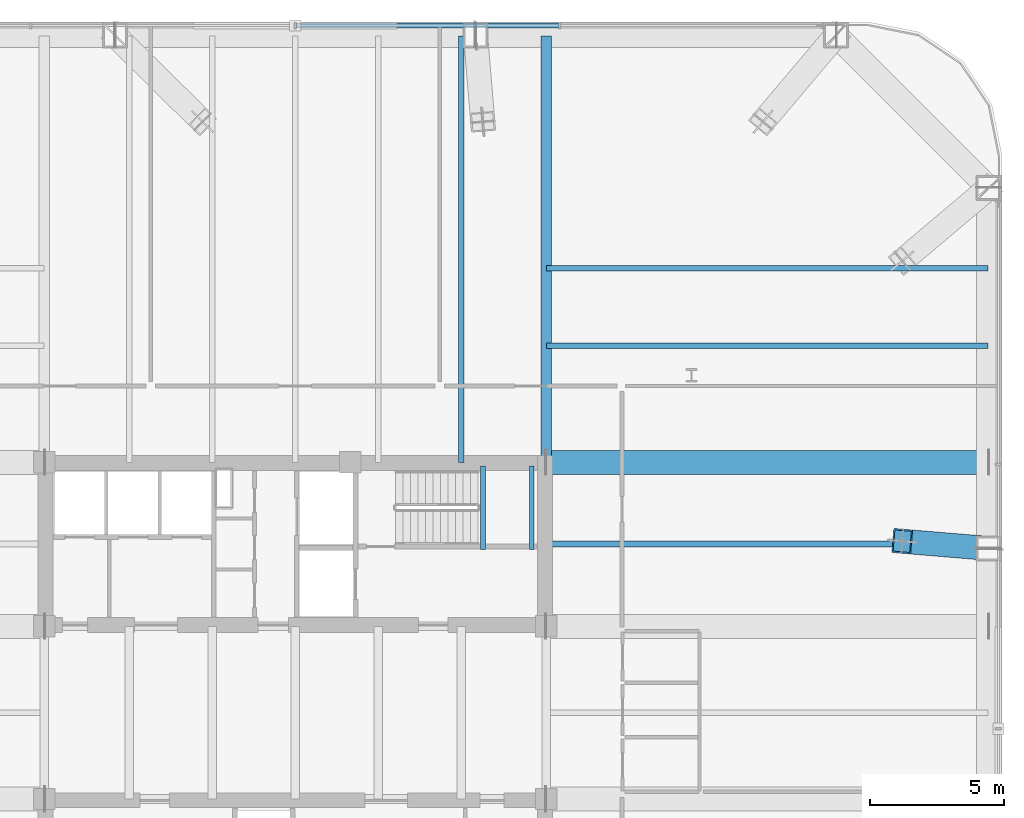
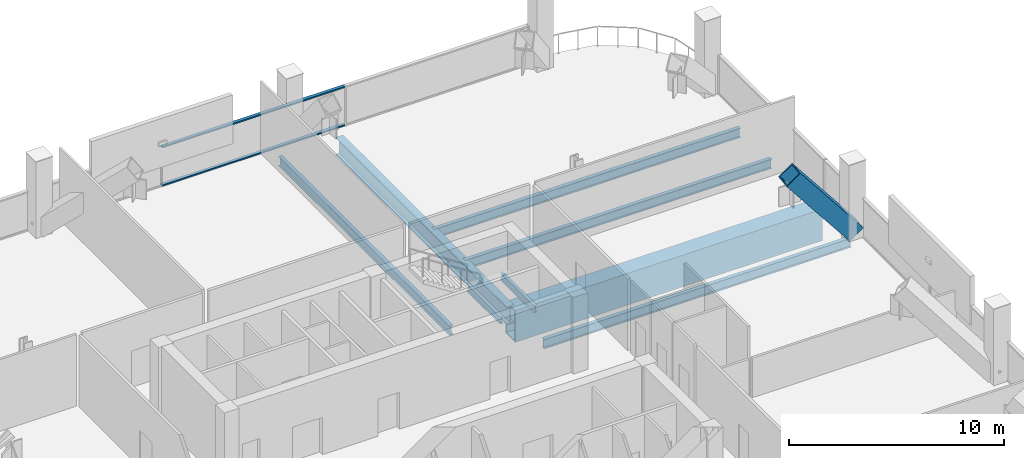
# One storey, part 22 of 38: 8 beams, 3 members, 1 element without a shape of its own.
"""IFC4 building model written with IfcOpenShell, lengths in metres."""

from ifc_helpers import new_model, si_unit, direction, frame, origin, origin_2d, place, context, subcontext, project, spatial, hollow_rectangle, i_section, extrude, material, layer, layer_set, material_profile, profile_set, type_object, element, aggregate, save


model = new_model("IFC4")

# Units and contexts
model_context = context("Model", 3, precision=1e-05, world=origin(), true_north=direction((0.0, 1.0)))
body_context = subcontext(model_context, "Body", "Model", "MODEL_VIEW")
ifc_project = project(units=[si_unit("LENGTHUNIT", "METRE"), si_unit("AREAUNIT", "SQUARE_METRE"), si_unit("VOLUMEUNIT", "CUBIC_METRE"), si_unit("PLANEANGLEUNIT", "RADIAN"), si_unit("MASSUNIT", "GRAM", prefix="KILO")], contexts=[model_context])

# Site, building, storey
site_placement = place(None, origin())
site = spatial("IfcSite", under=ifc_project, at=site_placement, CompositionType="ELEMENT")
building_placement = place(site_placement, origin())
building = spatial("IfcBuilding", under=site, at=building_placement, Name="Qhalaya Broadcast Tower", CompositionType="ELEMENT")
storey_placement = place(building_placement, frame((0.0, 0.0, 53.550048828125)))
storey = spatial("IfcBuildingStorey", under=building, at=storey_placement, Name="L15", CompositionType="ELEMENT", Elevation=53.550048828125)

# Beams
ifc_material_1 = material(Name="Structural Steel ASTM A572 Grade 50", Category="steel")
ifc_material_profile_1 = material_profile(ifc_material_1, hollow_rectangle(XDim=0.89990234375, YDim=1.800048828125, WallThickness=0.06005859375, at=origin_2d()), Name="BOX 900x1800x60")
ifc_profile_set_1 = profile_set([ifc_material_profile_1], Name="Structural Steel ASTM A572 Grade 50")
beam_type_1 = type_object("IfcBeamType", Name="Block Cantilever Transfer Box Girder TG1", PredefinedType="USERDEFINED", material=ifc_profile_set_1)
beam_1_placement = place(storey_placement, frame((9.375, 9.949951171875, -1.1201171875), z_axis=(1.0, 0.0, 0.0), x_axis=(0.0, 1.0, 0.0)))
element("IfcBeam", 1, at=beam_1_placement, inside=storey, type_object=beam_type_1, Name="L15 TG1 L15-PGYE4-1", ObjectType="GIRDER", PredefinedType="USERDEFINED", context=body_context, shape_type="SweptSolid", body=[
    extrude(hollow_rectangle(XDim=0.89990234375, YDim=1.800048828125, WallThickness=0.06005859375, at=origin_2d()), origin(), (0.0, 0.0, 1.0), 16.5048828125),
])
ifc_material_2 = material(Name="Structural Steel ASTM A992 Grade 50", Category="steel")
ifc_material_profile_2 = material_profile(ifc_material_2, i_section(OverallWidth=0.2099609375, OverallDepth=0.535888671875, WebThickness=0.010986328125, FlangeThickness=0.017333984375, at=origin_2d()), Name="W21X68")
ifc_profile_set_2 = profile_set([ifc_material_profile_2], Name="Structural Steel ASTM A992 Grade 50")
beam_type_2 = type_object("IfcBeamType", Name="Composite Floor Joist J02", PredefinedType="JOIST", material=ifc_profile_set_2)
beam_2_placement = place(storey_placement, frame((6.199951171875, 9.949951171875, -0.488037109375), z_axis=(0.0, 1.0, 0.0), x_axis=(-1.0, 0.0, 0.0)))
element("IfcBeam", 2, at=beam_2_placement, inside=storey, type_object=beam_type_2, Name="L15 J02 L15-JNN5-1", PredefinedType="JOIST", context=body_context, shape_type="SweptSolid", body=[
    extrude(i_section(OverallWidth=0.2099609375, OverallDepth=0.535888671875, WebThickness=0.010986328125, FlangeThickness=0.017333984375, at=origin_2d()), origin(), (0.0, 0.0, 1.0), 15.929931640625),
])
for number, where, z_axis, x_axis, name in (
    (3, (9.375, 6.89990234375, -0.488037109375), (1.0, 0.0, 0.0), (0.0, 1.0, 0.0), "L15 J02 L15-JWE5E-1"),
    (4, (9.375, 14.300048828125, -0.488037109375), (1.0, 0.0, 0.0), (0.0, 1.0, 0.0), "L15 J02 L15-JWE6E-1"),
    (5, (9.375, 17.199951171875, -0.488037109375), (1.0, 0.0, 0.0), (0.0, 1.0, 0.0), "L15 J02 L15-JWE7E-1"),
):
    element("IfcBeam", number, at=place(storey_placement, frame(where, z_axis=z_axis, x_axis=x_axis)), inside=storey, type_object=beam_type_2, Name=name, PredefinedType="JOIST", context=body_context, shape_type="SweptSolid", body=[
        extrude(i_section(OverallWidth=0.2099609375, OverallDepth=0.535888671875, WebThickness=0.010986328125, FlangeThickness=0.017333984375, at=origin_2d()), origin(), (0.0, 0.0, 1.0), 16.5048828125),
    ])

# Member
ifc_material_profile_3 = material_profile(ifc_material_1, hollow_rectangle(XDim=0.89990234375, YDim=0.89990234375, WallThickness=0.054931640625, at=origin_2d()), Name="BOX 900x900x55")
ifc_profile_set_3 = profile_set([ifc_material_profile_3], Name="Structural Steel ASTM A572 Grade 50")
member_type_1 = type_object("IfcMemberType", Name="Heavy Exoskeleton Transfer Strut RK1", PredefinedType="BRACE", material=ifc_profile_set_3)
member_1_placement = place(storey_placement, frame((25.89990234375, 6.7333984375, 0.290771484375), z_axis=(-0.621819281808, 0.051982775939, 0.781433664349), x_axis=(-0.083307289508, -0.996523906143, 0.0)))
element("IfcMember", 6, at=member_1_placement, inside=storey, type_object=member_type_1, Name="L15 Inclined Exoskeleton Transfer Strut 07", PredefinedType="BRACE", context=body_context, shape_type="SweptSolid", body=[
    extrude(hollow_rectangle(XDim=0.89990234375, YDim=0.89990234375, WallThickness=0.054931640625, at=origin_2d()), origin(), (0.0, 0.0, 1.0), 5.1943359375),
])

# Beam
ifc_material_profile_4 = material_profile(ifc_material_2, i_section(OverallWidth=0.40087890625, OverallDepth=1.010986328125, WebThickness=0.023681640625, FlangeThickness=0.0419921875, at=origin_2d()), Name="W40X297")
ifc_profile_set_4 = profile_set([ifc_material_profile_4], Name="Structural Steel ASTM A992 Grade 50")
beam_type_3 = type_object("IfcBeamType", Name="Lower Block Primary Girder PG2", PredefinedType="USERDEFINED", material=ifc_profile_set_4)
beam_3_placement = place(storey_placement, frame((9.375, 9.949951171875, -0.7255859375), z_axis=(0.0, 1.0, 0.0), x_axis=(-1.0, 0.0, 0.0)))
element("IfcBeam", 7, at=beam_3_placement, inside=storey, type_object=beam_type_3, Name="L15 PG2 L15-PGXN2-1", ObjectType="GIRDER", PredefinedType="USERDEFINED", context=body_context, shape_type="SweptSolid", body=[
    extrude(i_section(OverallWidth=0.40087890625, OverallDepth=1.010986328125, WebThickness=0.023681640625, FlangeThickness=0.0419921875, at=origin_2d()), origin(), (0.0, 0.0, 1.0), 15.929931640625),
])

# Curtain wall, members
ifc_material_3 = material(Name="Fired Architectural Terracotta", Category="masonry")
ifc_layer = layer(ifc_material_3, 0.219970703125, Name="Fired Architectural Terracotta")
ifc_layer_set = layer_set([ifc_layer], Name="Fired Architectural Terracotta")
curtain_wall_type = type_object("IfcCurtainWallType", Name="Block-Cap Unitised Terracotta Spandrel Wall CW-07", PredefinedType="NOTDEFINED", material=ifc_layer_set)
curtain_wall_placement = place(storey_placement, origin())
curtain_wall = element("IfcCurtainWall", 8, at=curtain_wall_placement, inside=storey, type_object=curtain_wall_type, Name="L15 Unitised Curtain Wall L15-CW-N", PredefinedType="NOTDEFINED")
ifc_material_4 = material(Name="Anodised Aluminium 6063-T6", Category="aluminium")
ifc_material_profile_5 = material_profile(ifc_material_4, hollow_rectangle(XDim=0.074951171875, YDim=0.179931640625, WallThickness=0.00390625, at=origin_2d()), Name="ALU-TRN 75x180x4")
ifc_profile_set_5 = profile_set([ifc_material_profile_5], Name="Anodised Aluminium 6063-T6")
member_type_2 = type_object("IfcMemberType", Name="Unitised Curtain-Wall Transom T01", PredefinedType="USERDEFINED", material=ifc_profile_set_5)
member_2_placement = place(storey_placement, frame((0.03759765625, 26.260009765625, 0.037353515625), z_axis=(1.0, 0.0, 0.0), x_axis=(0.0, 0.0, 1.0)))
member_2 = element("IfcMember", 9, at=member_2_placement, type_object=member_type_2, Name="CW-07 transom 3.1", ObjectType="TRANSOM", PredefinedType="USERDEFINED", context=body_context, shape_type="SweptSolid", body=[
    extrude(hollow_rectangle(XDim=0.074951171875, YDim=0.179931640625, WallThickness=0.00390625, at=origin_2d()), origin(), (0.0, 0.0, 1.0), 9.805908203125),
])
member_3_placement = place(storey_placement, frame((0.03759765625, 26.260009765625, 2.21240234375), z_axis=(1.0, 0.0, 0.0), x_axis=(0.0, 0.0, 1.0)))
member_3 = element("IfcMember", 10, at=member_3_placement, type_object=member_type_2, Name="CW-07 transom 3.2", ObjectType="TRANSOM", PredefinedType="USERDEFINED", context=body_context, shape_type="SweptSolid", body=[
    extrude(hollow_rectangle(XDim=0.074951171875, YDim=0.179931640625, WallThickness=0.00390625, at=origin_2d()), origin(), (0.0, 0.0, 1.0), 9.805908203125),
])
aggregate(curtain_wall, [member_2, member_3])

# Beams
ifc_material_profile_6 = material_profile(ifc_material_2, i_section(OverallWidth=0.177978515625, OverallDepth=0.406005859375, WebThickness=0.0078125, FlangeThickness=0.0126953125, at=origin_2d()), Name="W16X40")
ifc_profile_set_6 = profile_set([ifc_material_profile_6], Name="Structural Steel ASTM A992 Grade 50")
beam_type_4 = type_object("IfcBeamType", Name="Upper Perimeter Spandrel Beam SP2", PredefinedType="SPANDREL", material=ifc_profile_set_6)
for number, where, z_axis, x_axis, name in (
    (11, (7.014892578125, 6.699951171875, 1.77197265625), (0.0, 1.0, 0.0), (-1.0, 0.0, 0.0), "L15 ST-1 Half-Landing Bearer Beam 1"),
    (12, (8.830078125, 6.699951171875, 1.77197265625), (0.0, 1.0, 0.0), (-1.0, 0.0, 0.0), "L15 ST-1 Half-Landing Bearer Beam 2"),
):
    element("IfcBeam", number, at=place(storey_placement, frame(where, z_axis=z_axis, x_axis=x_axis)), inside=storey, type_object=beam_type_4, Name=name, PredefinedType="SPANDREL", context=body_context, shape_type="SweptSolid", body=[
        extrude(i_section(OverallWidth=0.177978515625, OverallDepth=0.406005859375, WebThickness=0.0078125, FlangeThickness=0.0126953125, at=origin_2d()), origin(), (0.0, 0.0, 1.0), 3.1201171875),
    ])

save(model, "model.ifc")
